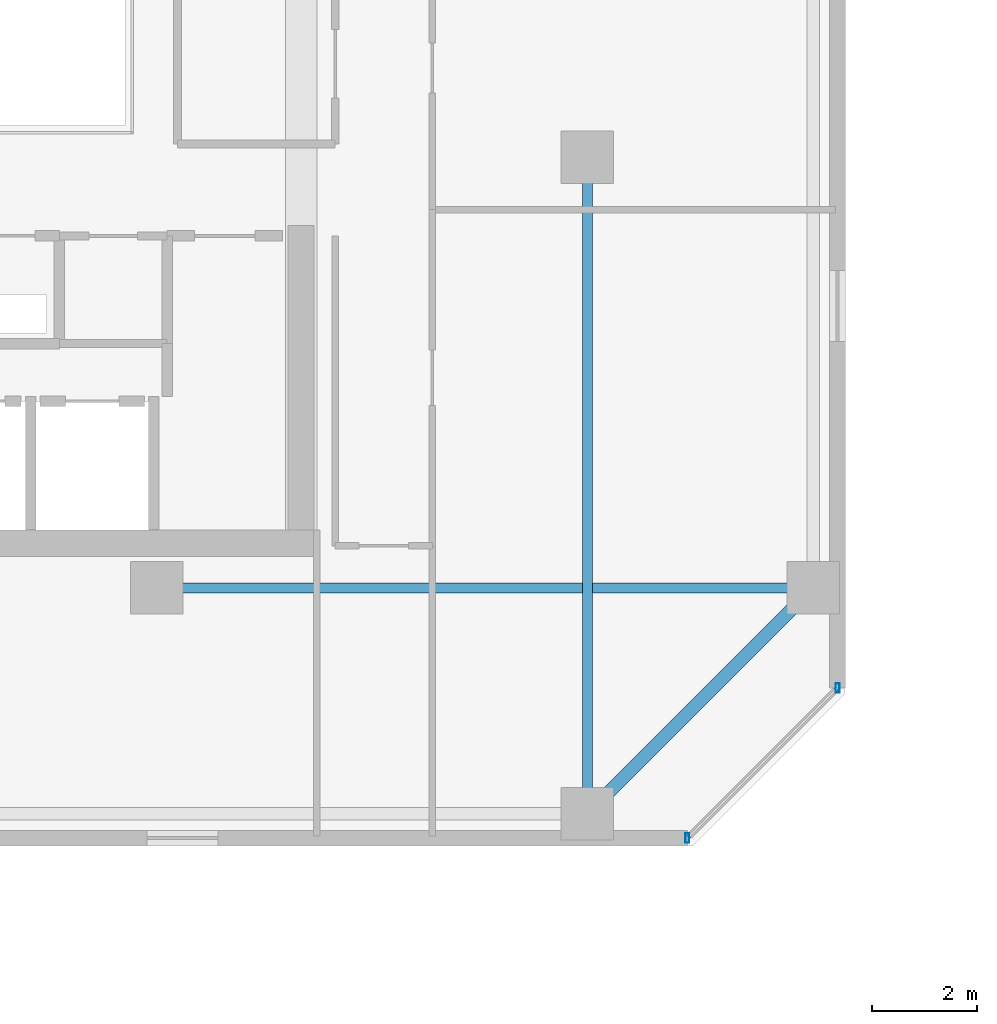
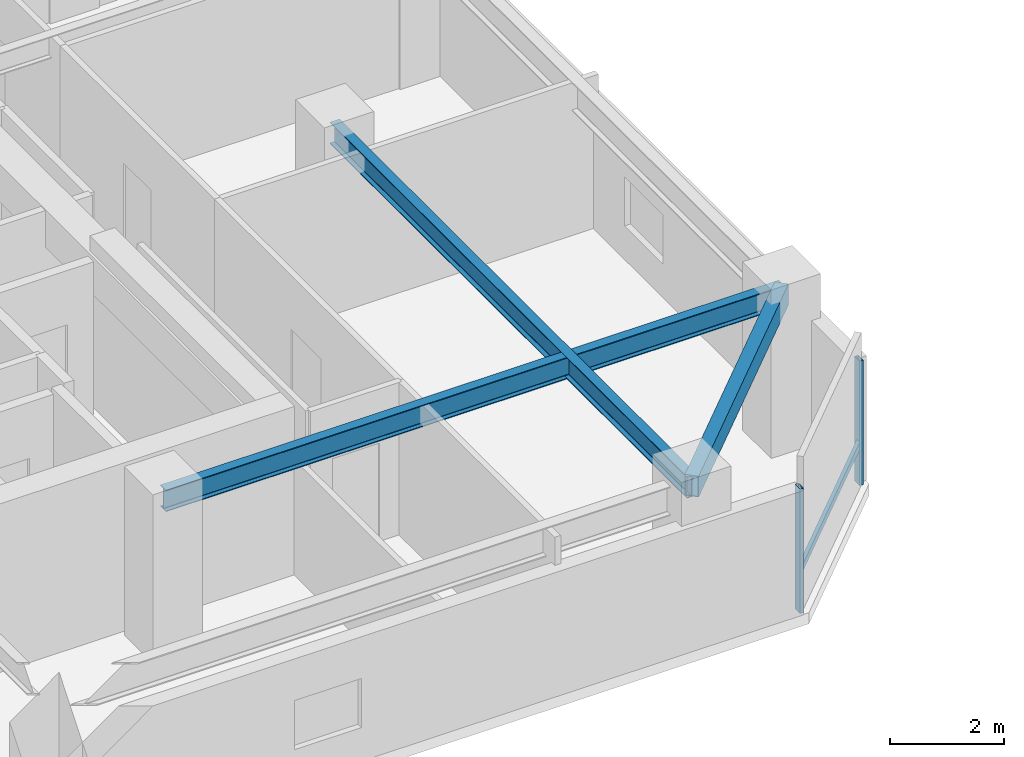
# One storey, part 5 of 33: 3 beams, 3 members, 1 element without a shape of its own.
"""IFC4 building model written with IfcOpenShell, lengths in metres."""

from ifc_helpers import new_model, si_unit, direction, frame, origin, origin_2d, place, context, subcontext, project, spatial, hollow_rectangle, i_section, extrude, material, material_profile, profile_set, type_object, element, aggregate, save


model = new_model("IFC4")

# Units and contexts
model_context = context("Model", 3, precision=1e-05, world=origin(), true_north=direction((0.0, 1.0)))
body_context = subcontext(model_context, "Body", "Model", "MODEL_VIEW")
ifc_project = project(units=[si_unit("LENGTHUNIT", "METRE"), si_unit("AREAUNIT", "SQUARE_METRE"), si_unit("VOLUMEUNIT", "CUBIC_METRE"), si_unit("PLANEANGLEUNIT", "RADIAN"), si_unit("MASSUNIT", "GRAM", prefix="KILO")], contexts=[model_context])

# Site, building, storey
site_placement = place(None, origin())
site = spatial("IfcSite", under=ifc_project, at=site_placement, CompositionType="ELEMENT")
building_placement = place(site_placement, origin())
building = spatial("IfcBuilding", under=site, at=building_placement, Name="Thornwick Lancets Civic Towers", CompositionType="ELEMENT")
storey_placement = place(building_placement, frame((0.0, 0.0, 218.10009765625)))
storey = spatial("IfcBuildingStorey", under=building, at=storey_placement, Name="L58", CompositionType="ELEMENT", Elevation=218.10009765625)

# Beams
ifc_material_1 = material(Name="Steel S355JR", Category="steel")
ifc_material_profile_1 = material_profile(ifc_material_1, i_section(OverallWidth=0.19189453125, OverallDepth=0.46337890625, WebThickness=0.010498046875, FlangeThickness=0.017578125, FilletRadius=0.01025390625, at=origin_2d()), Name="UKB 457x191x89")
ifc_profile_set_1 = profile_set([ifc_material_profile_1], Name="Steel S355JR")
beam_type_1 = type_object("IfcBeamType", Name="BM_JOIST_457_89", PredefinedType="JOIST", material=ifc_profile_set_1)
for number, where, z_axis, x_axis, name in (
    (1, (38.5, 22.199951171875, 3.048095703125), (0.0, -1.0, 0.0), (1.0, 0.0, 0.0), "BM-RADIN-L58-A03"),
    (2, (30.300048828125, 14.0, 3.048095703125), (1.0, 0.0, 0.0), (0.0, 1.0, 0.0), "BM-RADIN-L58-A04"),
):
    element("IfcBeam", number, at=place(storey_placement, frame(where, z_axis=z_axis, x_axis=x_axis)), inside=storey, type_object=beam_type_1, Name=name, PredefinedType="JOIST", context=body_context, shape_type="SweptSolid", body=[
        extrude(i_section(OverallWidth=0.19189453125, OverallDepth=0.46337890625, WebThickness=0.010498046875, FlangeThickness=0.017578125, FilletRadius=0.01025390625, at=origin_2d()), origin(), (0.0, 0.0, 1.0), 12.5),
    ])
ifc_material_profile_2 = material_profile(ifc_material_1, hollow_rectangle(XDim=0.25, YDim=0.449951171875, WallThickness=0.01611328125, at=origin_2d()), Name="RHS 450x250x16")
ifc_profile_set_2 = profile_set([ifc_material_profile_2], Name="Steel S355JR")
beam_type_2 = type_object("IfcBeamType", Name="BM_RING_RHS450", PredefinedType="BEAM", material=ifc_profile_set_2)
beam_placement = place(storey_placement, frame((38.5, 9.699951171875, 3.054931640625), z_axis=(0.707106781187, 0.707106781187, 0.0), x_axis=(-0.707106781187, 0.707106781187, 0.0)))
element("IfcBeam", 3, at=beam_placement, inside=storey, type_object=beam_type_2, Name="BM-CHAMF-L58-A-C0", PredefinedType="BEAM", context=body_context, shape_type="SweptSolid", body=[
    extrude(hollow_rectangle(XDim=0.25, YDim=0.449951171875, WallThickness=0.01611328125, at=origin_2d()), origin(), (0.0, 0.0, 1.0), 6.081298828125),
])

# Curtain wall, members
ifc_material_2 = material(Name="High-zone chamfered-corner unitised glass curtain wall", Category="glass")
curtain_wall_type = type_object("IfcCurtainWallType", Name="CW_SYS_05", PredefinedType="NOTDEFINED", material=ifc_material_2)
curtain_wall_placement = place(storey_placement, origin())
curtain_wall = element("IfcCurtainWall", 4, at=curtain_wall_placement, inside=storey, type_object=curtain_wall_type, Name="L58 Curtain Wall CW-L58-A-E1", PredefinedType="NOTDEFINED")
ifc_material_3 = material(Name="Thermally broken bronze aluminium S355", Category="steel")
ifc_material_profile_3 = material_profile(ifc_material_3, hollow_rectangle(XDim=0.074951171875, YDim=0.179931640625, WallThickness=0.006103515625, at=origin_2d()), Name="RHS 180x75x6")
ifc_profile_set_3 = profile_set([ifc_material_profile_3], Name="Thermally broken bronze aluminium S355")
member_type_1 = type_object("IfcMemberType", Name="CW_MUL_180", PredefinedType="MULLION", material=ifc_profile_set_3)
member_1_placement = place(storey_placement, frame((40.405517578125, 9.236328125, 0.0), z_axis=(0.0, 0.0, 1.0), x_axis=(1.0, 0.0, 0.0)))
member_1 = element("IfcMember", 5, at=member_1_placement, type_object=member_type_1, Name="CW-L58-A-E1 Mullion 0", PredefinedType="MULLION", context=body_context, shape_type="SweptSolid", body=[
    extrude(hollow_rectangle(XDim=0.074951171875, YDim=0.179931640625, WallThickness=0.006103515625, at=origin_2d()), origin(), (0.0, 0.0, 1.0), 2.659912109375),
])
member_2_placement = place(storey_placement, frame((43.263671875, 12.094482421875, 0.0), z_axis=(0.0, 0.0, 1.0), x_axis=(1.0, 0.0, 0.0)))
member_2 = element("IfcMember", 6, at=member_2_placement, type_object=member_type_1, Name="CW-L58-A-E1 Mullion 1", PredefinedType="MULLION", context=body_context, shape_type="SweptSolid", body=[
    extrude(hollow_rectangle(XDim=0.074951171875, YDim=0.179931640625, WallThickness=0.006103515625, at=origin_2d()), origin(), (0.0, 0.0, 1.0), 2.659912109375),
])
ifc_material_profile_4 = material_profile(ifc_material_3, hollow_rectangle(XDim=0.074951171875, YDim=0.14990234375, WallThickness=0.0048828125, at=origin_2d()), Name="RHS 150x75x5")
ifc_profile_set_4 = profile_set([ifc_material_profile_4], Name="Thermally broken bronze aluminium S355")
member_type_2 = type_object("IfcMemberType", Name="CW_TRN_150", PredefinedType="USERDEFINED", material=ifc_profile_set_4)
member_3_placement = place(storey_placement, frame((40.41943359375, 9.25048828125, 0.849853515625), z_axis=(0.707106781187, 0.707106781187, 0.0), x_axis=(-0.707106781187, 0.707106781187, 0.0)))
member_3 = element("IfcMember", 7, at=member_3_placement, type_object=member_type_2, Name="CW-L58-A-E1 Transom 0", ObjectType="TRANSOM", PredefinedType="USERDEFINED", context=body_context, shape_type="SweptSolid", body=[
    extrude(hollow_rectangle(XDim=0.074951171875, YDim=0.14990234375, WallThickness=0.0048828125, at=origin_2d()), origin(), (0.0, 0.0, 1.0), 4.00244140625),
])
aggregate(curtain_wall, [member_1, member_2, member_3])

save(model, "model.ifc")
